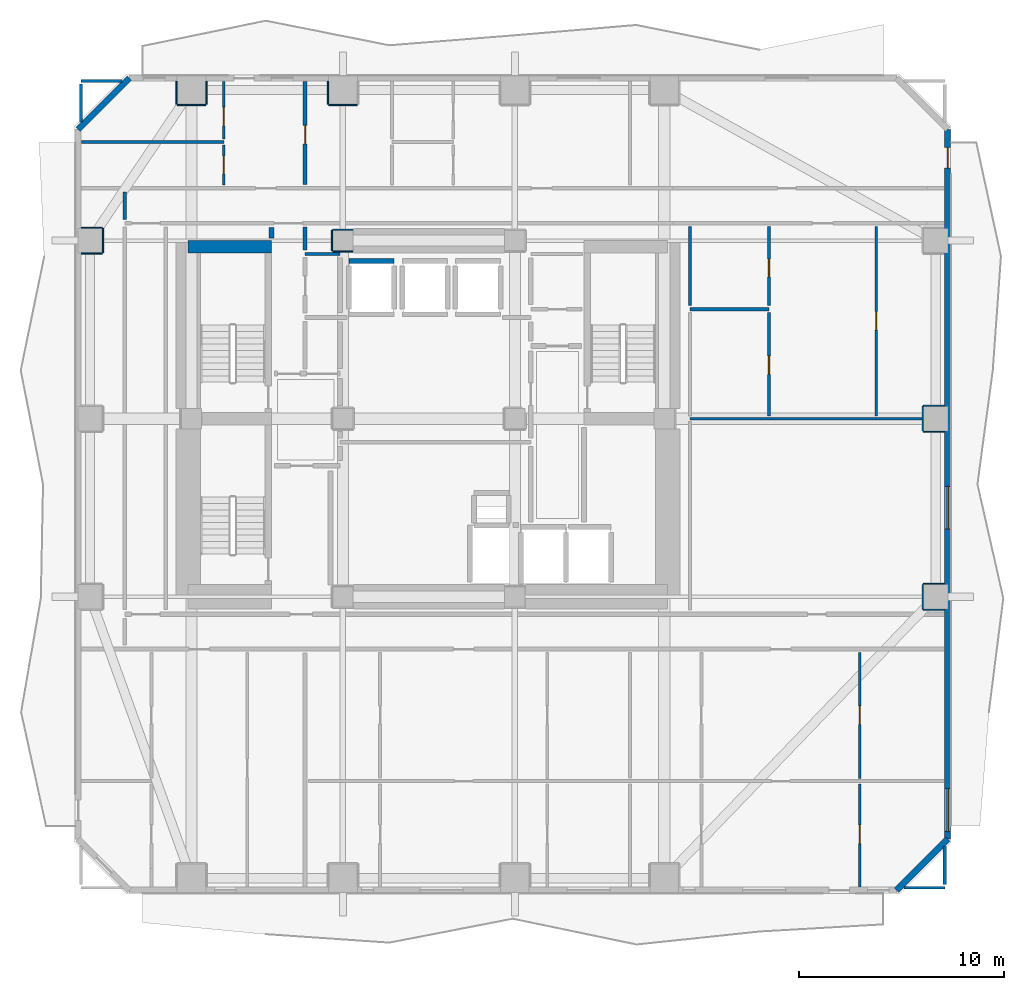
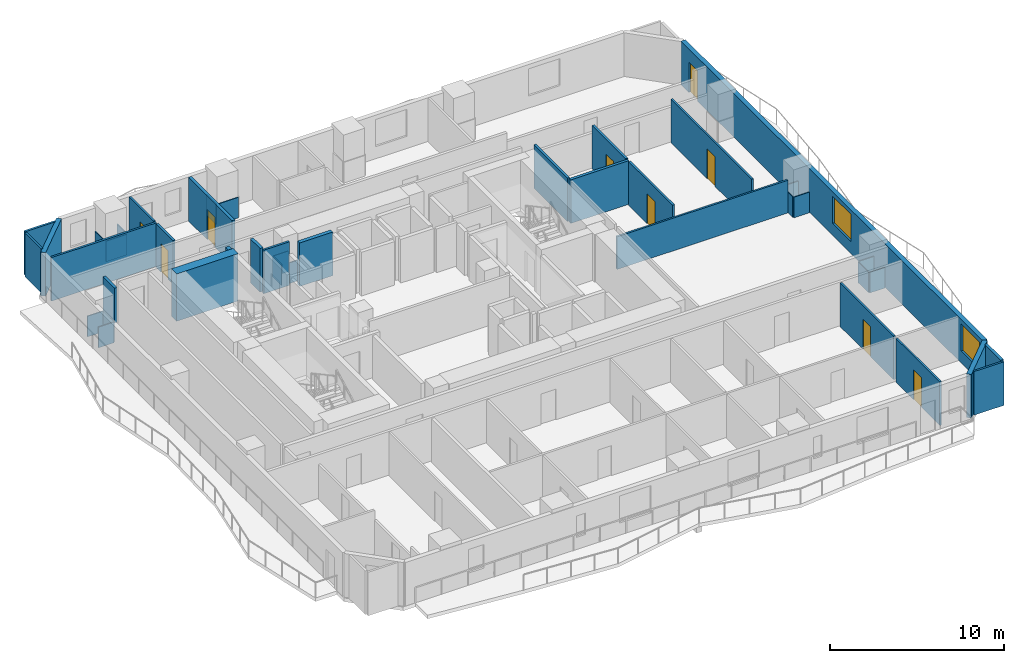
# One storey, part 5 of 10: 42 walls, 9 doors, 2 windows, 11 openings.
"""IFC4 building model written with IfcOpenShell, lengths in metres."""

import ifcopenshell
import ifcopenshell.guid

model = None  # the IFC model being written
_history = None  # IfcOwnerHistory: only IFC2X3 demands one
_inside = {}  # id of a spatial element -> (the spatial element, [elements in it])
_under = {}  # id of a project, library or spatial element -> (it, [spatial elements below it])
_declared = {}  # id of a project -> (the project, [libraries it declares])
_typed = {}  # id of a type object -> (the type object, [elements of that type])
_made_of = {}  # id of a material, layer set ... -> (it, [elements and type objects made of it])


def new_model(schema):
    """Start an empty IFC model of exactly this schema.

    Asked for "IFC4X3", IfcOpenShell would pick the latest addendum, in which some entities
    have other attributes; the version numbers below select the first issue.
    IFC2X3 requires an IfcOwnerHistory on every rooted entity: one is made here for all.
    """
    global model, _history
    if schema == "IFC4X3":
        model = ifcopenshell.file(schema_version=(4, 3, 0, 0))
    else:
        model = ifcopenshell.file(schema=schema)
    _inside.clear()
    _under.clear()
    _declared.clear()
    _typed.clear()
    _made_of.clear()
    _history = None
    if model.schema == "IFC2X3":
        org = make("IfcOrganization", Name="unknown")
        user = make(
            "IfcPersonAndOrganization",
            ThePerson=make("IfcPerson", FamilyName="unknown"),
            TheOrganization=org,
        )
        app = make(
            "IfcApplication",
            ApplicationDeveloper=org,
            Version="unknown",
            ApplicationFullName="unknown",
            ApplicationIdentifier="unknown",
        )
        _history = make(
            "IfcOwnerHistory",
            OwningUser=user,
            OwningApplication=app,
            ChangeAction="ADDED",
            CreationDate=0,
        )
    return model


def make(cls, **values):
    """One entity of the class cls with the attributes given. An attribute that is None is left unset."""
    return model.create_entity(
        cls, **{name: value for name, value in values.items() if value is not None}
    )


def rooted(cls, **values):
    """An entity with a GlobalId (a new one), such as an element, a storey or a relation."""
    return make(cls, GlobalId=ifcopenshell.guid.new(), OwnerHistory=_history, **values)


def si_unit(unit_type, name, prefix=None):
    """IfcSIUnit, for example si_unit("LENGTHUNIT", "METRE", prefix="MILLI")."""
    return make("IfcSIUnit", UnitType=unit_type, Prefix=prefix, Name=name)


def assignment(units):
    """IfcUnitAssignment: the units of a project."""
    return None if units is None else make("IfcUnitAssignment", Units=units)


def point(xyz):
    """IfcCartesianPoint."""
    return None if xyz is None else make("IfcCartesianPoint", Coordinates=xyz)


def direction(xyz):
    """IfcDirection."""
    return None if xyz is None else make("IfcDirection", DirectionRatios=xyz)


def frame(location, z_axis=None, x_axis=None):
    """IfcAxis2Placement3D, a coordinate frame: its origin and axes. An axis left out is left unset."""
    return make(
        "IfcAxis2Placement3D",
        Location=point(location),
        Axis=direction(z_axis),
        RefDirection=direction(x_axis),
    )


def frame_2d(location, x_axis=None):
    """IfcAxis2Placement2D, a coordinate frame in the plane: its origin and x axis."""
    return make(
        "IfcAxis2Placement2D", Location=point(location), RefDirection=direction(x_axis)
    )


def origin():
    """The frame at (0, 0, 0) with its axes left unset."""
    return frame((0.0, 0.0, 0.0))


def place(relative_to, where):
    """IfcLocalPlacement: puts the frame where relative to a parent placement (None: the world)."""
    return make(
        "IfcLocalPlacement", PlacementRelTo=relative_to, RelativePlacement=where
    )


def context(
    kind, dimensions, precision=None, world=None, true_north=None, identifier=None
):
    """IfcGeometricRepresentationContext, for example the 3D "Model" context."""
    return make(
        "IfcGeometricRepresentationContext",
        ContextIdentifier=identifier,
        ContextType=kind,
        CoordinateSpaceDimension=dimensions,
        Precision=precision,
        WorldCoordinateSystem=world,
        TrueNorth=true_north,
    )


def subcontext(parent, identifier, kind, view, scale=None):
    """IfcGeometricRepresentationSubContext, for example "Body" below "Model"."""
    return make(
        "IfcGeometricRepresentationSubContext",
        ContextIdentifier=identifier,
        ContextType=kind,
        ParentContext=parent,
        TargetScale=scale,
        TargetView=view,
    )


def project(units=None, contexts=None):
    """IfcProject with its units and contexts."""
    return rooted(
        "IfcProject",
        Name="project",
        RepresentationContexts=contexts,
        UnitsInContext=assignment(units),
    )


def spatial(cls, under=None, at=None, **own):
    """A site, building, storey or space (cls), placed at a placement, below another one or the project."""
    s = rooted(cls, ObjectPlacement=at, **own)
    if under is not None:
        _under.setdefault(under.id(), (under, []))[1].append(s)
    return s


def profile(cls, at=None, kind="AREA", **sizes):
    """A parametric profile (cls). Its sizes go by their IFC names, for example OverallWidth=200.0."""
    return make(cls, ProfileType=kind, Position=at, **sizes)


def rectangle(**sizes):
    """IfcRectangleProfileDef."""
    return profile("IfcRectangleProfileDef", **sizes)


def extrude(swept, where, along, depth):
    """IfcExtrudedAreaSolid: the profile swept, set in the frame where, extruded along a direction by depth."""
    return make(
        "IfcExtrudedAreaSolid",
        SweptArea=swept,
        Position=where,
        ExtrudedDirection=direction(along),
        Depth=depth,
    )


def shape(context_of_items, identifier, shape_type, items):
    """IfcShapeRepresentation: the items that make up one representation, for example the "Body"."""
    return make(
        "IfcShapeRepresentation",
        ContextOfItems=context_of_items,
        RepresentationIdentifier=identifier,
        RepresentationType=shape_type,
        Items=items,
    )


def material(Name=None, Category=None):
    """IfcMaterial."""
    return make("IfcMaterial", Name=Name, Category=Category)


def layer(
    of_material, thickness, ventilated=None, Name=None, Category=None, Priority=None
):
    """IfcMaterialLayer: one layer of a wall or slab, of a material (None: an air gap)."""
    return make(
        "IfcMaterialLayer",
        Material=of_material,
        LayerThickness=thickness,
        IsVentilated=ventilated,
        Name=Name,
        Category=Category,
        Priority=Priority,
    )


def layer_set(layers, Name=None):
    """IfcMaterialLayerSet."""
    return make("IfcMaterialLayerSet", MaterialLayers=layers, LayerSetName=Name)


def made_of(thing, what):
    """Note that an element or type object is made of a material, layer set ...; save() writes the relation."""
    if what is not None:
        _made_of.setdefault(what.id(), (what, []))[1].append(thing)
    return thing


def type_object(cls, material=None, **own):
    """A type object (cls), such as IfcWallType, which elements share."""
    return made_of(rooted(cls, **own), material)


def element(
    cls,
    number,
    at=None,
    inside=None,
    cuts=None,
    type_object=None,
    material=None,
    context=None,
    identifier="Body",
    shape_type=None,
    held_by="IfcProductDefinitionShape",
    body=None,
    shapes=None,
    **own,
):
    """One element of the class cls, such as IfcWall. Its Tag is "e" and its number.

    at: its placement. inside: the storey or other place that contains it. cuts: it is an
    opening in that element (IfcRelVoidsElement). A single representation is given by context,
    identifier, shape_type and body (its items); several are given by shapes. held_by: the class
    of the entity that holds the representations. save() writes the other relations.
    """
    e = rooted(cls, Tag="e%d" % number, ObjectPlacement=at, **own)
    if body is not None:
        shapes = [shape(context, identifier, shape_type, body)]
    if shapes is not None:
        e.Representation = make(held_by, Representations=shapes)
    if inside is not None:
        _inside.setdefault(inside.id(), (inside, []))[1].append(e)
    if cuts is not None:
        rooted(
            "IfcRelVoidsElement", RelatingBuildingElement=cuts, RelatedOpeningElement=e
        )
    if type_object is not None:
        _typed.setdefault(type_object.id(), (type_object, []))[1].append(e)
    return made_of(e, material)


def fill(opening, filler):
    """IfcRelFillsElement: the door or window that sits in an opening."""
    return rooted(
        "IfcRelFillsElement",
        RelatingOpeningElement=opening,
        RelatedBuildingElement=filler,
    )


def aggregate(whole, parts):
    """IfcRelAggregates: a whole, such as a stair, and the parts it consists of."""
    return rooted("IfcRelAggregates", RelatingObject=whole, RelatedObjects=parts)


def save(model, path):
    """Write the relations noted so far, then the file.

    IfcRelAggregates (storeys below a building ...), IfcRelContainedInSpatialStructure (elements
    in a storey), IfcRelDefinesByType, IfcRelAssociatesMaterial and IfcRelDeclares: one each for
    every whole, place, type object, material and project.
    """
    for whole, parts in _under.values():
        aggregate(whole, parts)
    for where, things in _inside.values():
        rooted(
            "IfcRelContainedInSpatialStructure",
            RelatedElements=things,
            RelatingStructure=where,
        )
    for kind, things in _typed.values():
        rooted("IfcRelDefinesByType", RelatedObjects=things, RelatingType=kind)
    for what, things in _made_of.values():
        rooted("IfcRelAssociatesMaterial", RelatedObjects=things, RelatingMaterial=what)
    for by, libraries in _declared.values():
        rooted("IfcRelDeclares", RelatingContext=by, RelatedDefinitions=libraries)
    model.write(path)


model = new_model("IFC4")

# Units and contexts
model_context = context("Model", 3, precision=1e-05, world=origin(), true_north=direction((0.0, 1.0)))
body_context = subcontext(model_context, "Body", "Model", "MODEL_VIEW")
ifc_project = project(units=[si_unit("LENGTHUNIT", "METRE"), si_unit("AREAUNIT", "SQUARE_METRE"), si_unit("VOLUMEUNIT", "CUBIC_METRE"), si_unit("PLANEANGLEUNIT", "RADIAN"), si_unit("MASSUNIT", "GRAM", prefix="KILO")], contexts=[model_context])

# Site, building, storey
site_placement = place(None, origin())
site = spatial("IfcSite", under=ifc_project, at=site_placement, CompositionType="ELEMENT")
building_placement = place(site_placement, origin())
building = spatial("IfcBuilding", under=site, at=building_placement, Name="Solanera Arch Residences", CompositionType="ELEMENT")
storey_placement = place(building_placement, frame((0.0, 0.0, 51.8798828125)))
storey = spatial("IfcBuildingStorey", under=building, at=storey_placement, Name="L14", CompositionType="ELEMENT", Elevation=51.8798828125)

# Walls
ifc_material_1 = material(Name="Fire-Rated Gypsum Stud Partition", Category="gypsum")
ifc_layer_1 = layer(ifc_material_1, 0.06005859375)
ifc_layer_set_1 = layer_set([ifc_layer_1], Name="Fire-Rated Gypsum Stud Partition")
wall_type_1 = type_object("IfcWallType", Name="Column Acoustic Furring Wall 60", PredefinedType="PARTITIONING", material=ifc_layer_set_1)
for number, where, z_axis, x_axis, name in (
    (1, (20.300048828125, 38.867919921875, 0.0), (0.0, 0.0, 1.0), (1.0, 0.0, 0.0), "L14 Column Furring 3S"),
    (2, (20.300048828125, 39.931884765625, 0.0), (0.0, 0.0, 1.0), (1.0, 0.0, 0.0), "L14 Column Furring 3N"),
):
    element("IfcWall", number, at=place(storey_placement, frame(where, z_axis=z_axis, x_axis=x_axis)), inside=storey, type_object=wall_type_1, Name=name, PredefinedType="PARTITIONING", context=body_context, shape_type="SweptSolid", body=[
        extrude(rectangle(XDim=0.989990234375, YDim=0.06005859375, at=frame_2d((0.4951171875, 0.0))), origin(), (0.0, 0.0, 1.0), 1.4501953125),
    ])
wall_1_placement = place(storey_placement, frame((20.26806640625, 38.89990234375, 0.0), z_axis=(0.0, 0.0, 1.0), x_axis=(0.0, 1.0, 0.0)))
element("IfcWall", 3, at=wall_1_placement, inside=storey, type_object=wall_type_1, Name="L14 Column Furring 3W", PredefinedType="PARTITIONING", context=body_context, shape_type="SweptSolid", body=[
    extrude(rectangle(XDim=1.0, YDim=0.06005859375, at=frame_2d((0.5, 0.0))), origin(), (0.0, 0.0, 1.0), 1.4501953125),
])
wall_2_placement = place(storey_placement, frame((12.699951171875, 46.01806640625, 0.0), z_axis=(0.0, 0.0, 1.0), x_axis=(1.0, 0.0, 0.0)))
element("IfcWall", 4, at=wall_2_placement, inside=storey, type_object=wall_type_1, Name="L14 Column Furring 10S", PredefinedType="PARTITIONING", context=body_context, shape_type="SweptSolid", body=[
    extrude(rectangle(XDim=1.400146484375, YDim=0.06005859375, at=frame_2d((0.7001953125, 0.0))), origin(), (0.0, 0.0, 1.0), 1.4501953125),
])
for number, where, z_axis, x_axis, name in (
    (5, (12.66796875, 46.050048828125, 0.0), (0.0, 0.0, 1.0), (0.0, 1.0, 0.0), "L14 Column Furring 10W"),
    (6, (14.132080078125, 46.050048828125, 0.0), (0.0, 0.0, 1.0), (0.0, 1.0, 0.0), "L14 Column Furring 10E"),
):
    element("IfcWall", number, at=place(storey_placement, frame(where, z_axis=z_axis, x_axis=x_axis)), inside=storey, type_object=wall_type_1, Name=name, PredefinedType="PARTITIONING", context=body_context, shape_type="SweptSolid", body=[
        extrude(rectangle(XDim=1.119873046875, YDim=0.06005859375, at=frame_2d((0.56005859375, 0.0))), origin(), (0.0, 0.0, 1.0), 1.4501953125),
    ])
wall_3_placement = place(storey_placement, frame((20.10009765625, 46.01806640625, 0.0), z_axis=(0.0, 0.0, 1.0), x_axis=(1.0, 0.0, 0.0)))
element("IfcWall", 7, at=wall_3_placement, inside=storey, type_object=wall_type_1, Name="L14 Column Furring 12S", PredefinedType="PARTITIONING", context=body_context, shape_type="SweptSolid", body=[
    extrude(rectangle(XDim=1.39990234375, YDim=0.06005859375, at=frame_2d((0.699951171875, 0.0))), origin(), (0.0, 0.0, 1.0), 1.4501953125),
])
wall_4_placement = place(storey_placement, frame((20.068115234375, 46.050048828125, 0.0), z_axis=(0.0, 0.0, 1.0), x_axis=(0.0, 1.0, 0.0)))
element("IfcWall", 8, at=wall_4_placement, inside=storey, type_object=wall_type_1, Name="L14 Column Furring 12W", PredefinedType="PARTITIONING", context=body_context, shape_type="SweptSolid", body=[
    extrude(rectangle(XDim=1.119873046875, YDim=0.06005859375, at=frame_2d((0.56005859375, 0.0))), origin(), (0.0, 0.0, 1.0), 1.4501953125),
])
for number, where, z_axis, x_axis, name in (
    (9, (49.14990234375, 21.367919921875, 0.0), (0.0, 0.0, 1.0), (1.0, 0.0, 0.0), "L14 Column Furring 18S"),
    (10, (49.14990234375, 22.632080078125, 0.0), (0.0, 0.0, 1.0), (1.0, 0.0, 0.0), "L14 Column Furring 18N"),
):
    element("IfcWall", number, at=place(storey_placement, frame(where, z_axis=z_axis, x_axis=x_axis)), inside=storey, type_object=wall_type_1, Name=name, PredefinedType="PARTITIONING", context=body_context, shape_type="SweptSolid", body=[
        extrude(rectangle(XDim=1.02001953125, YDim=0.06005859375, at=frame_2d((0.510009765625, 0.0))), origin(), (0.0, 0.0, 1.0), 1.4501953125),
    ])
wall_5_placement = place(storey_placement, frame((49.117919921875, 21.39990234375, 0.0), z_axis=(0.0, 0.0, 1.0), x_axis=(0.0, 1.0, 0.0)))
element("IfcWall", 11, at=wall_5_placement, inside=storey, type_object=wall_type_1, Name="L14 Column Furring 18W", PredefinedType="PARTITIONING", context=body_context, shape_type="SweptSolid", body=[
    extrude(rectangle(XDim=1.2001953125, YDim=0.06005859375, at=frame_2d((0.60009765625, 0.0))), origin(), (0.0, 0.0, 1.0), 1.4501953125),
])
for number, where, z_axis, x_axis, name in (
    (12, (49.14990234375, 30.068115234375, 0.0), (0.0, 0.0, 1.0), (1.0, 0.0, 0.0), "L14 Column Furring 20S"),
    (13, (49.14990234375, 31.33203125, 0.0), (0.0, 0.0, 1.0), (1.0, 0.0, 0.0), "L14 Column Furring 20N"),
):
    element("IfcWall", number, at=place(storey_placement, frame(where, z_axis=z_axis, x_axis=x_axis)), inside=storey, type_object=wall_type_1, Name=name, PredefinedType="PARTITIONING", context=body_context, shape_type="SweptSolid", body=[
        extrude(rectangle(XDim=1.02001953125, YDim=0.06005859375, at=frame_2d((0.510009765625, 0.0))), origin(), (0.0, 0.0, 1.0), 1.4501953125),
    ])
wall_6_placement = place(storey_placement, frame((49.117919921875, 30.10009765625, 0.0), z_axis=(0.0, 0.0, 1.0), x_axis=(0.0, 1.0, 0.0)))
element("IfcWall", 14, at=wall_6_placement, inside=storey, type_object=wall_type_1, Name="L14 Column Furring 20W", PredefinedType="PARTITIONING", context=body_context, shape_type="SweptSolid", body=[
    extrude(rectangle(XDim=1.199951171875, YDim=0.06005859375, at=frame_2d((0.60009765625, 0.0))), origin(), (0.0, 0.0, 1.0), 1.4501953125),
])
for number, where, z_axis, x_axis, name in (
    (15, (8.030029296875, 38.76806640625, 0.0), (0.0, 0.0, 1.0), (1.0, 0.0, 0.0), "L14 Column Furring 21S"),
    (16, (8.030029296875, 40.031982421875, 0.0), (0.0, 0.0, 1.0), (1.0, 0.0, 0.0), "L14 Column Furring 21N"),
):
    element("IfcWall", number, at=place(storey_placement, frame(where, z_axis=z_axis, x_axis=x_axis)), inside=storey, type_object=wall_type_1, Name=name, PredefinedType="PARTITIONING", context=body_context, shape_type="SweptSolid", body=[
        extrude(rectangle(XDim=1.02001953125, YDim=0.06005859375, at=frame_2d((0.510009765625, 0.0))), origin(), (0.0, 0.0, 1.0), 1.4501953125),
    ])
wall_7_placement = place(storey_placement, frame((9.08203125, 38.800048828125, 0.0), z_axis=(0.0, 0.0, 1.0), x_axis=(0.0, 1.0, 0.0)))
element("IfcWall", 17, at=wall_7_placement, inside=storey, type_object=wall_type_1, Name="L14 Column Furring 21E", PredefinedType="PARTITIONING", context=body_context, shape_type="SweptSolid", body=[
    extrude(rectangle(XDim=1.199951171875, YDim=0.06005859375, at=frame_2d((0.60009765625, 0.0))), origin(), (0.0, 0.0, 1.0), 1.4501953125),
])
ifc_material_2 = material(Name="Concrete C40/50 (f'c = 45 MPa)", Category="concrete")
ifc_layer_2 = layer(ifc_material_2, 0.60009765625)
ifc_layer_set_2 = layer_set([ifc_layer_2], Name="Concrete C40/50 (f'c = 45 MPa)")
wall_type_2 = type_object("IfcWallType", Name="Core Shear Wall CW-600", PredefinedType="SHEAR", material=ifc_layer_set_2)
wall_8_placement = place(storey_placement, frame((13.239990234375, 39.10009765625, 0.0), z_axis=(0.0, 0.0, 1.0), x_axis=(1.0, 0.0, 0.0)))
element("IfcWall", 18, at=wall_8_placement, inside=storey, type_object=wall_type_2, Name="L14 North-West Core Shear Wall", PredefinedType="SHEAR", context=body_context, shape_type="SweptSolid", body=[
    extrude(rectangle(XDim=4.080078125, YDim=0.60009765625, at=frame_2d((2.0400390625, 0.0))), origin(), (0.0, 0.0, 1.0), 3.320068359375),
])
ifc_material_3 = material(Name="Autoclaved Aerated Concrete Blockwork", Category="masonry")
ifc_layer_3 = layer(ifc_material_3, 0.179931640625)
ifc_layer_set_3 = layer_set([ifc_layer_3], Name="Autoclaved Aerated Concrete Blockwork")
wall_type_3 = type_object("IfcWallType", Name="Corridor Fire Partition 180", PredefinedType="PARTITIONING", material=ifc_layer_set_3)
wall_9_placement = place(storey_placement, frame((37.75, 36.050048828125, 0.0), z_axis=(0.0, 0.0, 1.0), x_axis=(1.0, 0.0, 0.0)))
element("IfcWall", 19, at=wall_9_placement, inside=storey, type_object=wall_type_3, Name="L14 Interior Partition H10", PredefinedType="PARTITIONING", context=body_context, shape_type="SweptSolid", body=[
    extrude(rectangle(XDim=3.860107421875, YDim=0.179931640625, at=frame_2d((1.93017578125, 0.0))), origin(), (0.0, 0.0, 1.0), 3.06005859375),
])
wall_10_placement = place(storey_placement, frame((10.14990234375, 40.43798828125, 0.0), z_axis=(0.0, 0.0, 1.0), x_axis=(0.0, 1.0, 0.0)))
element("IfcWall", 20, at=wall_10_placement, inside=storey, type_object=wall_type_3, Name="L14 Interior Partition V9 3", PredefinedType="PARTITIONING", context=body_context, shape_type="SweptSolid", body=[
    extrude(rectangle(XDim=1.323974609375, YDim=0.179931640625, at=frame_2d((0.662109375, 0.0))), origin(), (0.0, 0.0, 1.0), 2.445068359375),
])
wall_11_placement = place(storey_placement, frame((50.199951171875, 7.9580078125, 0.0), z_axis=(0.0, 0.0, 1.0), x_axis=(0.0, 1.0, 0.0)))
element("IfcWall", 21, at=wall_11_placement, inside=storey, type_object=wall_type_3, Name="L14 Interior Partition V11 1", PredefinedType="PARTITIONING", context=body_context, shape_type="SweptSolid", body=[
    extrude(rectangle(XDim=1.843017578125, YDim=0.179931640625, at=frame_2d((0.92138671875, 0.0))), origin(), (0.0, 0.0, 1.0), 3.06005859375),
])
ifc_material_4 = material(Name="Precast Concrete C35/45", Category="concrete")
ifc_layer_4 = layer(ifc_material_4, 0.300048828125)
ifc_layer_set_4 = layer_set([ifc_layer_4], Name="Precast Concrete C35/45")
wall_type_4 = type_object("IfcWallType", Name="Exterior Wall Precast Masonry-Frame 300", PredefinedType="STANDARD", material=ifc_layer_set_4)
wall_12_placement = place(storey_placement, frame((7.864990234375, 44.8349609375, 0.0), z_axis=(0.0, 0.0, 1.0), x_axis=(0.707106781187, 0.707106781187, 0.0)))
element("IfcWall", 22, at=wall_12_placement, inside=storey, type_object=wall_type_4, Name="L14 Tower Exterior Precast Masonry-Frame Wall CH1", PredefinedType="STANDARD", context=body_context, shape_type="SweptSolid", body=[
    extrude(rectangle(XDim=3.53564453125, YDim=0.300048828125, at=frame_2d((1.767822265625, 0.0))), origin(), (0.0, 0.0, 1.0), 3.06005859375),
])

# Wall, openings, door, windows
wall_13_placement = place(storey_placement, frame((50.3349609375, 44.8349609375, 0.0), z_axis=(0.0, 0.0, 1.0), x_axis=(0.0, -1.0, 0.0)))
wall_13 = element("IfcWall", 23, at=wall_13_placement, inside=storey, type_object=wall_type_4, Name="L14 Tower Exterior Precast Masonry-Frame Wall E", PredefinedType="STANDARD", context=body_context, shape_type="SweptSolid", body=[
    extrude(rectangle(XDim=34.669921875, YDim=0.300048828125, at=frame_2d((17.3349609375, 0.0))), origin(), (0.0, 0.0, 1.0), 3.06005859375),
])
opening_1_placement = place(wall_13_placement, frame((0.90087890625, 0.0, 0.0)))
opening_1 = element("IfcOpeningElement", 24, at=opening_1_placement, cuts=wall_13, Name="Opening DB-01", PredefinedType="OPENING", context=body_context, shape_type="SweptSolid", body=[
    extrude(rectangle(XDim=1.0, YDim=2.14990234375, at=frame_2d((0.5, 1.074951171875))), frame((0.0, 0.159912109375, 0.0), z_axis=(0.0, -1.0, 0.0), x_axis=(1.0, 0.0, 0.0)), (0.0, 0.0, 1.0), 0.32),
])
opening_2_placement = place(wall_13_placement, frame((32.2080078125, 0.0, 0.85009765625)))
opening_2 = element("IfcOpeningElement", 25, at=opening_2_placement, cuts=wall_13, Name="Opening W-04", PredefinedType="OPENING", context=body_context, shape_type="SweptSolid", body=[
    extrude(rectangle(XDim=2.10009765625, YDim=1.89990234375, at=frame_2d((1.050048828125, 0.949951171875))), frame((0.0, 0.159912109375, 0.0), z_axis=(0.0, -1.0, 0.0), x_axis=(1.0, 0.0, 0.0)), (0.0, 0.0, 1.0), 0.32),
])
opening_3_placement = place(wall_13_placement, frame((17.43505859375, 0.0, 0.85009765625)))
opening_3 = element("IfcOpeningElement", 26, at=opening_3_placement, cuts=wall_13, Name="Opening W-04", PredefinedType="OPENING", context=body_context, shape_type="SweptSolid", body=[
    extrude(rectangle(XDim=2.10009765625, YDim=1.89990234375, at=frame_2d((1.050048828125, 0.949951171875))), frame((0.0, 0.159912109375, 0.0), z_axis=(0.0, -1.0, 0.0), x_axis=(1.0, 0.0, 0.0)), (0.0, 0.0, 1.0), 0.32),
])
ifc_material_5 = material(Name="Anodised Aluminium Alloy 6063-T6", Category="aluminium")
door_type_1 = type_object("IfcDoorType", Name="Glazed Balcony Swing Door DB-01", OperationType="NOTDEFINED", PredefinedType="DOOR", material=ifc_material_5)
door_1_placement = place(opening_1_placement, origin())
door_1 = element("IfcDoor", 27, at=door_1_placement, inside=storey, type_object=door_type_1, Name="DR-L14-OUT-03", OperationType="SINGLE_SWING_RIGHT", OverallHeight=2.14990234375, OverallWidth=1.0, PredefinedType="DOOR", context=body_context, shape_type="SweptSolid", body=[
    extrude(rectangle(XDim=1.0, YDim=2.14990234375, at=frame_2d((0.5, 1.074951171875))), frame((0.0, 0.02490234375, 0.0), z_axis=(0.0, -1.0, 0.0), x_axis=(1.0, 0.0, 0.0)), (0.0, 0.0, 1.0), 0.050048828125),
])
fill(opening_1, door_1)
ifc_material_6 = material(Name="Double Glazed Low-E Laminated Glass", Category="glass")
window_type = type_object("IfcWindowType", Name="Punched Window W-04", PartitioningType="DOUBLE_PANEL_VERTICAL", PredefinedType="WINDOW", material=ifc_material_6)
window_1_placement = place(opening_2_placement, origin())
window_1 = element("IfcWindow", 28, at=window_1_placement, inside=storey, type_object=window_type, Name="L14 1403-STD Punched Window", OverallHeight=1.89990234375, OverallWidth=2.10009765625, PartitioningType="SINGLE_PANEL", PredefinedType="WINDOW", context=body_context, shape_type="SweptSolid", body=[
    extrude(rectangle(XDim=2.10009765625, YDim=1.89990234375, at=frame_2d((1.050048828125, 0.949951171875))), frame((0.0, 0.030029296875, 0.0), z_axis=(0.0, -1.0, 0.0), x_axis=(1.0, 0.0, 0.0)), (0.0, 0.0, 1.0), 0.06005859375),
])
fill(opening_2, window_1)
window_2_placement = place(opening_3_placement, origin())
window_2 = element("IfcWindow", 29, at=window_2_placement, inside=storey, type_object=window_type, Name="L14 AMN-STDE Punched Window", OverallHeight=1.89990234375, OverallWidth=2.10009765625, PartitioningType="SINGLE_PANEL", PredefinedType="WINDOW", context=body_context, shape_type="SweptSolid", body=[
    extrude(rectangle(XDim=2.10009765625, YDim=1.89990234375, at=frame_2d((1.050048828125, 0.949951171875))), frame((0.0, 0.030029296875, 0.0), z_axis=(0.0, -1.0, 0.0), x_axis=(1.0, 0.0, 0.0)), (0.0, 0.0, 1.0), 0.06005859375),
])
fill(opening_3, window_2)

# Walls
wall_14_placement = place(storey_placement, frame((50.3349609375, 10.1650390625, 0.0), z_axis=(0.0, 0.0, 1.0), x_axis=(-0.707106781187, -0.707106781187, 0.0)))
element("IfcWall", 30, at=wall_14_placement, inside=storey, type_object=wall_type_4, Name="L14 Tower Exterior Precast Masonry-Frame Wall CH5", PredefinedType="STANDARD", context=body_context, shape_type="SweptSolid", body=[
    extrude(rectangle(XDim=3.53564453125, YDim=0.300048828125, at=frame_2d((1.767822265625, 0.0))), origin(), (0.0, 0.0, 1.0), 3.06005859375),
])
ifc_material_7 = material(Name="Autoclaved Aerated Concrete Blockwork", Category="masonry")
ifc_layer_5 = layer(ifc_material_7, 0.199951171875)
ifc_layer_set_5 = layer_set([ifc_layer_5], Name="Autoclaved Aerated Concrete Blockwork")
wall_type_5 = type_object("IfcWallType", Name="Party Wall Acoustic 200", PredefinedType="PARTITIONING", material=ifc_layer_set_5)
wall_15_placement = place(storey_placement, frame((18.949951171875, 38.927978515625, 0.0), z_axis=(0.0, 0.0, 1.0), x_axis=(0.0, 1.0, 0.0)))
element("IfcWall", 31, at=wall_15_placement, inside=storey, type_object=wall_type_5, Name="L14 Interior Partition V7 3", PredefinedType="PARTITIONING", context=body_context, shape_type="SweptSolid", body=[
    extrude(rectangle(XDim=1.1240234375, YDim=0.199951171875, at=frame_2d((0.56201171875, 0.0))), origin(), (0.0, 0.0, 1.0), 3.06005859375),
])

# Wall, opening, door
wall_16_placement = place(storey_placement, frame((18.949951171875, 42.14794921875, 0.0), z_axis=(0.0, 0.0, 1.0), x_axis=(0.0, 1.0, 0.0)))
wall_16 = element("IfcWall", 32, at=wall_16_placement, inside=storey, type_object=wall_type_5, Name="L14 Interior Partition V8", PredefinedType="PARTITIONING", context=body_context, shape_type="SweptSolid", body=[
    extrude(rectangle(XDim=5.025146484375, YDim=0.199951171875, at=frame_2d((2.5126953125, 0.0))), origin(), (0.0, 0.0, 1.0), 3.06005859375),
])
opening_4_placement = place(wall_16_placement, frame((1.97705078125, 0.0, 0.0)))
opening_4 = element("IfcOpeningElement", 33, at=opening_4_placement, cuts=wall_16, Name="Opening DI-02", PredefinedType="OPENING", context=body_context, shape_type="SweptSolid", body=[
    extrude(rectangle(XDim=0.89990234375, YDim=2.10009765625, at=frame_2d((0.449951171875, 1.050048828125))), frame((0.0, 0.110107421875, 0.0), z_axis=(0.0, -1.0, 0.0), x_axis=(1.0, 0.0, 0.0)), (0.0, 0.0, 1.0), 0.22),
])
ifc_material_8 = material(Name="Fire-Rated Architectural Hardwood", Category="wood")
door_type_2 = type_object("IfcDoorType", Name="Suite Room Swing Door DI-02", OperationType="NOTDEFINED", PredefinedType="DOOR", material=ifc_material_8)
door_2_placement = place(opening_4_placement, origin())
door_2 = element("IfcDoor", 34, at=door_2_placement, inside=storey, type_object=door_type_2, Name="DR-L14-IN-034", OperationType="SINGLE_SWING_LEFT", OverallHeight=2.10009765625, OverallWidth=0.89990234375, PredefinedType="DOOR", context=body_context, shape_type="SweptSolid", body=[
    extrude(rectangle(XDim=0.89990234375, YDim=2.10009765625, at=frame_2d((0.449951171875, 1.050048828125))), frame((0.0, 0.02490234375, 0.0), z_axis=(0.0, -1.0, 0.0), x_axis=(1.0, 0.0, 0.0)), (0.0, 0.0, 1.0), 0.050048828125),
])
fill(opening_4, door_2)

# Walls
ifc_material_9 = material(Name="Autoclaved Aerated Concrete Blockwork", Category="masonry")
ifc_layer_6 = layer(ifc_material_9, 0.239990234375)
ifc_layer_set_6 = layer_set([ifc_layer_6], Name="Autoclaved Aerated Concrete Blockwork")
wall_type_6 = type_object("IfcWallType", Name="Shaft Wall Fire-Rated 240", PredefinedType="PARTITIONING", material=ifc_layer_set_6)
wall_17_placement = place(storey_placement, frame((21.10009765625, 38.39990234375, 0.0), z_axis=(0.0, 0.0, 1.0), x_axis=(1.0, 0.0, 0.0)))
element("IfcWall", 35, at=wall_17_placement, inside=storey, type_object=wall_type_6, Name="L14 Lift PL-L1 Hoistway Wall N", PredefinedType="PARTITIONING", context=body_context, shape_type="SweptSolid", body=[
    extrude(rectangle(XDim=2.199951171875, YDim=0.239990234375, at=frame_2d((1.10009765625, 0.0))), origin(), (0.0, 0.0, 1.0), 3.06005859375),
])
wall_18_placement = place(storey_placement, frame((17.320068359375, 39.530029296875, 0.0), z_axis=(0.0, 0.0, 1.0), x_axis=(0.0, 1.0, 0.0)))
element("IfcWall", 36, at=wall_18_placement, inside=storey, type_object=wall_type_6, Name="L14 Interior Partition V1", PredefinedType="PARTITIONING", context=body_context, shape_type="SweptSolid", body=[
    extrude(rectangle(XDim=0.501953125, YDim=0.239990234375, at=frame_2d((0.2509765625, 0.0))), origin(), (0.0, 0.0, 1.0), 3.06005859375),
])
ifc_material_10 = material(Name="Fire-Rated Gypsum Stud Partition", Category="gypsum")
ifc_layer_7 = layer(ifc_material_10, 0.1201171875)
ifc_layer_set_7 = layer_set([ifc_layer_7], Name="Fire-Rated Gypsum Stud Partition")
wall_type_7 = type_object("IfcWallType", Name="Unit Drywall Partition 120", PredefinedType="PARTITIONING", material=ifc_layer_set_7)
wall_19_placement = place(storey_placement, frame((48.198974609375, 7.800048828125, 0.0), z_axis=(0.0, 0.0, 1.0), x_axis=(1.0, 0.0, 0.0)))
element("IfcWall", 37, at=wall_19_placement, inside=storey, type_object=wall_type_7, Name="L14 Interior Partition H20 2", PredefinedType="PARTITIONING", context=body_context, shape_type="SweptSolid", body=[
    extrude(rectangle(XDim=2.0009765625, YDim=0.1201171875, at=frame_2d((1.00048828125, 0.0))), origin(), (0.0, 0.0, 1.0), 3.06005859375),
])
wall_20_placement = place(storey_placement, frame((37.75, 30.699951171875, 0.0), z_axis=(0.0, 0.0, 1.0), x_axis=(1.0, 0.0, 0.0)))
element("IfcWall", 38, at=wall_20_placement, inside=storey, type_object=wall_type_7, Name="L14 Interior Partition H21", PredefinedType="PARTITIONING", context=body_context, shape_type="SweptSolid", body=[
    extrude(rectangle(XDim=11.327880859375, YDim=0.1201171875, at=frame_2d((5.6640625, 0.0))), origin(), (0.0, 0.0, 1.0), 2.295166015625),
])

# Wall, opening, door
wall_21_placement = place(storey_placement, frame((46.047119140625, 7.826904296875, 0.0), z_axis=(0.0, 0.0, 1.0), x_axis=(0.0, 1.0, 0.0)))
wall_21 = element("IfcWall", 39, at=wall_21_placement, inside=storey, type_object=wall_type_7, Name="L14 Interior Partition V26 1", PredefinedType="PARTITIONING", context=body_context, shape_type="SweptSolid", body=[
    extrude(rectangle(XDim=5.03515625, YDim=0.1201171875, at=frame_2d((2.517578125, 0.0))), origin(), (0.0, 0.0, 1.0), 3.06005859375),
])
opening_5_placement = place(wall_21_placement, frame((2.123046875, 0.0, 0.0)))
opening_5 = element("IfcOpeningElement", 40, at=opening_5_placement, cuts=wall_21, Name="Opening DI-02", PredefinedType="OPENING", context=body_context, shape_type="SweptSolid", body=[
    extrude(rectangle(XDim=0.89990234375, YDim=2.10009765625, at=frame_2d((0.449951171875, 1.050048828125))), frame((0.0, 0.070068359375, 0.0), z_axis=(0.0, -1.0, 0.0), x_axis=(1.0, 0.0, 0.0)), (0.0, 0.0, 1.0), 0.1401),
])
door_3_placement = place(opening_5_placement, origin())
door_3 = element("IfcDoor", 41, at=door_3_placement, inside=storey, type_object=door_type_2, Name="DR-L14-IN-030", OperationType="SINGLE_SWING_LEFT", OverallHeight=2.10009765625, OverallWidth=0.89990234375, PredefinedType="DOOR", context=body_context, shape_type="SweptSolid", body=[
    extrude(rectangle(XDim=0.89990234375, YDim=2.10009765625, at=frame_2d((0.449951171875, 1.050048828125))), frame((0.0, 0.02490234375, 0.0), z_axis=(0.0, -1.0, 0.0), x_axis=(1.0, 0.0, 0.0)), (0.0, 0.0, 1.0), 0.050048828125),
])
fill(opening_5, door_3)

wall_22_placement = place(storey_placement, frame((46.047119140625, 13.137939453125, 0.0), z_axis=(0.0, 0.0, 1.0), x_axis=(0.0, 1.0, 0.0)))
wall_22 = element("IfcWall", 42, at=wall_22_placement, inside=storey, type_object=wall_type_7, Name="L14 Interior Partition V26 2", PredefinedType="PARTITIONING", context=body_context, shape_type="SweptSolid", body=[
    extrude(rectangle(XDim=6.154052734375, YDim=0.1201171875, at=frame_2d((3.0771484375, 0.0))), origin(), (0.0, 0.0, 1.0), 3.06005859375),
])
opening_6_placement = place(wall_22_placement, frame((2.636962890625, 0.0, 0.0)))
opening_6 = element("IfcOpeningElement", 43, at=opening_6_placement, cuts=wall_22, Name="Opening DI-02", PredefinedType="OPENING", context=body_context, shape_type="SweptSolid", body=[
    extrude(rectangle(XDim=0.89990234375, YDim=2.10009765625, at=frame_2d((0.449951171875, 1.050048828125))), frame((0.0, 0.070068359375, 0.0), z_axis=(0.0, -1.0, 0.0), x_axis=(1.0, 0.0, 0.0)), (0.0, 0.0, 1.0), 0.1401),
])
door_4_placement = place(opening_6_placement, origin())
door_4 = element("IfcDoor", 44, at=door_4_placement, inside=storey, type_object=door_type_2, Name="DR-L14-IN-029", OperationType="SINGLE_SWING_RIGHT", OverallHeight=2.10009765625, OverallWidth=0.89990234375, PredefinedType="DOOR", context=body_context, shape_type="SweptSolid", body=[
    extrude(rectangle(XDim=0.89990234375, YDim=2.10009765625, at=frame_2d((0.449951171875, 1.050048828125))), frame((0.0, 0.02490234375, 0.0), z_axis=(0.0, -1.0, 0.0), x_axis=(1.0, 0.0, 0.0)), (0.0, 0.0, 1.0), 0.050048828125),
])
fill(opening_6, door_4)

wall_23_placement = place(storey_placement, frame((46.839111328125, 30.827880859375, 0.0), z_axis=(0.0, 0.0, 1.0), x_axis=(0.0, 1.0, 0.0)))
wall_23 = element("IfcWall", 45, at=wall_23_placement, inside=storey, type_object=wall_type_7, Name="L14 Interior Partition V27", PredefinedType="PARTITIONING", context=body_context, shape_type="SweptSolid", body=[
    extrude(rectangle(XDim=9.26416015625, YDim=0.1201171875, at=frame_2d((4.632080078125, 0.0))), origin(), (0.0, 0.0, 1.0), 3.06005859375),
])
opening_7_placement = place(wall_23_placement, frame((4.197021484375, 0.0, 0.0)))
opening_7 = element("IfcOpeningElement", 46, at=opening_7_placement, cuts=wall_23, Name="Opening DI-02", PredefinedType="OPENING", context=body_context, shape_type="SweptSolid", body=[
    extrude(rectangle(XDim=0.89990234375, YDim=2.10009765625, at=frame_2d((0.449951171875, 1.050048828125))), frame((0.0, 0.070068359375, 0.0), z_axis=(0.0, -1.0, 0.0), x_axis=(1.0, 0.0, 0.0)), (0.0, 0.0, 1.0), 0.1401),
])
door_5_placement = place(opening_7_placement, origin())
door_5 = element("IfcDoor", 47, at=door_5_placement, inside=storey, type_object=door_type_2, Name="DR-L14-IN-043", OperationType="SINGLE_SWING_RIGHT", OverallHeight=2.10009765625, OverallWidth=0.89990234375, PredefinedType="DOOR", context=body_context, shape_type="SweptSolid", body=[
    extrude(rectangle(XDim=0.89990234375, YDim=2.10009765625, at=frame_2d((0.449951171875, 1.050048828125))), frame((0.0, 0.02490234375, 0.0), z_axis=(0.0, -1.0, 0.0), x_axis=(1.0, 0.0, 0.0)), (0.0, 0.0, 1.0), 0.050048828125),
])
fill(opening_7, door_5)

# Walls
ifc_material_11 = material(Name="Autoclaved Aerated Concrete Blockwork", Category="masonry")
ifc_layer_8 = layer(ifc_material_11, 0.139892578125)
ifc_layer_set_8 = layer_set([ifc_layer_8], Name="Autoclaved Aerated Concrete Blockwork")
wall_type_8 = type_object("IfcWallType", Name="Wet-Room Partition 140", PredefinedType="PARTITIONING", material=ifc_layer_set_8)
wall_24_placement = place(storey_placement, frame((18.949951171875, 38.75, 0.0), z_axis=(0.0, 0.0, 1.0), x_axis=(1.0, 0.0, 0.0)))
element("IfcWall", 48, at=wall_24_placement, inside=storey, type_object=wall_type_8, Name="L14 Interior Partition H15", PredefinedType="PARTITIONING", context=body_context, shape_type="SweptSolid", body=[
    extrude(rectangle(XDim=1.699951171875, YDim=0.139892578125, at=frame_2d((0.85009765625, 0.0))), origin(), (0.0, 0.0, 1.0), 3.06005859375),
])
wall_25_placement = place(storey_placement, frame((8.027099609375, 44.2080078125, 0.0), z_axis=(0.0, 0.0, 1.0), x_axis=(1.0, 0.0, 0.0)))
element("IfcWall", 49, at=wall_25_placement, inside=storey, type_object=wall_type_8, Name="L14 Interior Partition H17", PredefinedType="PARTITIONING", context=body_context, shape_type="SweptSolid", body=[
    extrude(rectangle(XDim=6.952880859375, YDim=0.139892578125, at=frame_2d((3.4765625, 0.0))), origin(), (0.0, 0.0, 1.0), 3.06005859375),
])
wall_26_placement = place(storey_placement, frame((8.0, 47.199951171875, 0.0), z_axis=(0.0, 0.0, 1.0), x_axis=(1.0, 0.0, 0.0)))
element("IfcWall", 50, at=wall_26_placement, inside=storey, type_object=wall_type_8, Name="L14 Interior Partition H19 1", PredefinedType="PARTITIONING", context=body_context, shape_type="SweptSolid", body=[
    extrude(rectangle(XDim=2.0009765625, YDim=0.139892578125, at=frame_2d((1.00048828125, 0.0))), origin(), (0.0, 0.0, 1.0), 3.06005859375),
])
wall_27_placement = place(storey_placement, frame((8.0, 45.198974609375, 0.0), z_axis=(0.0, 0.0, 1.0), x_axis=(0.0, 1.0, 0.0)))
element("IfcWall", 51, at=wall_27_placement, inside=storey, type_object=wall_type_8, Name="L14 Interior Partition V13", PredefinedType="PARTITIONING", context=body_context, shape_type="SweptSolid", body=[
    extrude(rectangle(XDim=1.85302734375, YDim=0.139892578125, at=frame_2d((0.926513671875, 0.0))), origin(), (0.0, 0.0, 1.0), 3.06005859375),
])

# Wall, opening, door
wall_28_placement = place(storey_placement, frame((14.97998046875, 42.117919921875, 0.0), z_axis=(0.0, 0.0, 1.0), x_axis=(0.0, 1.0, 0.0)))
wall_28 = element("IfcWall", 52, at=wall_28_placement, inside=storey, type_object=wall_type_8, Name="L14 Interior Partition V15 1", PredefinedType="PARTITIONING", context=body_context, shape_type="SweptSolid", body=[
    extrude(rectangle(XDim=1.942138671875, YDim=0.139892578125, at=frame_2d((0.97119140625, 0.0))), origin(), (0.0, 0.0, 1.0), 3.06005859375),
])
opening_8_placement = place(wall_28_placement, frame((0.5439453125, 0.0, 0.0)))
opening_8 = element("IfcOpeningElement", 53, at=opening_8_placement, cuts=wall_28, Name="Opening DI-05", PredefinedType="OPENING", context=body_context, shape_type="SweptSolid", body=[
    extrude(rectangle(XDim=0.860107421875, YDim=2.02001953125, at=frame_2d((0.43017578125, 1.010009765625))), frame((0.0, 0.079833984375, 0.0), z_axis=(0.0, -1.0, 0.0), x_axis=(1.0, 0.0, 0.0)), (0.0, 0.0, 1.0), 0.1599),
])
ifc_material_12 = material(Name="Fire-Rated Architectural Hardwood", Category="wood")
door_type_3 = type_object("IfcDoorType", Name="Bathroom Swing Door DI-05", OperationType="NOTDEFINED", PredefinedType="DOOR", material=ifc_material_12)
door_6_placement = place(opening_8_placement, origin())
door_6 = element("IfcDoor", 54, at=door_6_placement, inside=storey, type_object=door_type_3, Name="DR-L14-IN-032", OperationType="SINGLE_SWING_LEFT", OverallHeight=2.02001953125, OverallWidth=0.860107421875, PredefinedType="DOOR", context=body_context, shape_type="SweptSolid", body=[
    extrude(rectangle(XDim=0.860107421875, YDim=2.02001953125, at=frame_2d((0.43017578125, 1.010009765625))), frame((0.0, 0.02490234375, 0.0), z_axis=(0.0, -1.0, 0.0), x_axis=(1.0, 0.0, 0.0)), (0.0, 0.0, 1.0), 0.050048828125),
])
fill(opening_8, door_6)

wall_29_placement = place(storey_placement, frame((14.97998046875, 44.35595703125, 0.0), z_axis=(0.0, 0.0, 1.0), x_axis=(0.0, 1.0, 0.0)))
wall_29 = element("IfcWall", 55, at=wall_29_placement, inside=storey, type_object=wall_type_8, Name="L14 Interior Partition V15 2", PredefinedType="PARTITIONING", context=body_context, shape_type="SweptSolid", body=[
    extrude(rectangle(XDim=2.817138671875, YDim=0.139892578125, at=frame_2d((1.40869140625, 0.0))), origin(), (0.0, 0.0, 1.0), 3.06005859375),
])
opening_9_placement = place(wall_29_placement, frame((0.64501953125, 0.0, 0.0)))
opening_9 = element("IfcOpeningElement", 56, at=opening_9_placement, cuts=wall_29, Name="Opening DI-03", PredefinedType="OPENING", context=body_context, shape_type="SweptSolid", body=[
    extrude(rectangle(XDim=0.89990234375, YDim=2.10009765625, at=frame_2d((0.449951171875, 1.050048828125))), frame((0.0, 0.079833984375, 0.0), z_axis=(0.0, -1.0, 0.0), x_axis=(1.0, 0.0, 0.0)), (0.0, 0.0, 1.0), 0.1599),
])
ifc_material_13 = material(Name="Fire-Rated Architectural Hardwood", Category="wood")
door_type_4 = type_object("IfcDoorType", Name="Bedroom Swing Door DI-03", OperationType="NOTDEFINED", PredefinedType="DOOR", material=ifc_material_13)
door_7_placement = place(opening_9_placement, origin())
door_7 = element("IfcDoor", 57, at=door_7_placement, inside=storey, type_object=door_type_4, Name="DR-L14-IN-033", OperationType="SINGLE_SWING_RIGHT", OverallHeight=2.10009765625, OverallWidth=0.89990234375, PredefinedType="DOOR", context=body_context, shape_type="SweptSolid", body=[
    extrude(rectangle(XDim=0.89990234375, YDim=2.10009765625, at=frame_2d((0.449951171875, 1.050048828125))), frame((0.0, 0.02490234375, 0.0), z_axis=(0.0, -1.0, 0.0), x_axis=(1.0, 0.0, 0.0)), (0.0, 0.0, 1.0), 0.050048828125),
])
fill(opening_9, door_7)

# Wall
wall_30_placement = place(storey_placement, frame((37.75, 36.218017578125, 0.0), z_axis=(0.0, 0.0, 1.0), x_axis=(0.0, 1.0, 0.0)))
element("IfcWall", 58, at=wall_30_placement, inside=storey, type_object=wall_type_8, Name="L14 Interior Partition V21 3", PredefinedType="PARTITIONING", context=body_context, shape_type="SweptSolid", body=[
    extrude(rectangle(XDim=3.864013671875, YDim=0.139892578125, at=frame_2d((1.93212890625, 0.0))), origin(), (0.0, 0.0, 1.0), 3.06005859375),
])

# Wall, opening, door
wall_31_placement = place(storey_placement, frame((41.610107421875, 30.837890625, 0.0), z_axis=(0.0, 0.0, 1.0), x_axis=(0.0, 1.0, 0.0)))
wall_31 = element("IfcWall", 59, at=wall_31_placement, inside=storey, type_object=wall_type_8, Name="L14 Interior Partition V23 1", PredefinedType="PARTITIONING", context=body_context, shape_type="SweptSolid", body=[
    extrude(rectangle(XDim=5.044189453125, YDim=0.139892578125, at=frame_2d((2.52197265625, 0.0))), origin(), (0.0, 0.0, 1.0), 3.06005859375),
])
opening_10_placement = place(wall_31_placement, frame((2.02490234375, 0.0, 0.0)))
opening_10 = element("IfcOpeningElement", 60, at=opening_10_placement, cuts=wall_31, Name="Opening DI-03", PredefinedType="OPENING", context=body_context, shape_type="SweptSolid", body=[
    extrude(rectangle(XDim=0.89990234375, YDim=2.10009765625, at=frame_2d((0.449951171875, 1.050048828125))), frame((0.0, 0.079833984375, 0.0), z_axis=(0.0, -1.0, 0.0), x_axis=(1.0, 0.0, 0.0)), (0.0, 0.0, 1.0), 0.1599),
])
door_8_placement = place(opening_10_placement, origin())
door_8 = element("IfcDoor", 61, at=door_8_placement, inside=storey, type_object=door_type_4, Name="DR-L14-IN-042", OperationType="SINGLE_SWING_LEFT", OverallHeight=2.10009765625, OverallWidth=0.89990234375, PredefinedType="DOOR", context=body_context, shape_type="SweptSolid", body=[
    extrude(rectangle(XDim=0.89990234375, YDim=2.10009765625, at=frame_2d((0.449951171875, 1.050048828125))), frame((0.0, 0.02490234375, 0.0), z_axis=(0.0, -1.0, 0.0), x_axis=(1.0, 0.0, 0.0)), (0.0, 0.0, 1.0), 0.050048828125),
])
fill(opening_10, door_8)

wall_32_placement = place(storey_placement, frame((41.610107421875, 36.218017578125, 0.0), z_axis=(0.0, 0.0, 1.0), x_axis=(0.0, 1.0, 0.0)))
wall_32 = element("IfcWall", 62, at=wall_32_placement, inside=storey, type_object=wall_type_8, Name="L14 Interior Partition V23 2", PredefinedType="PARTITIONING", context=body_context, shape_type="SweptSolid", body=[
    extrude(rectangle(XDim=3.864013671875, YDim=0.139892578125, at=frame_2d((1.93212890625, 0.0))), origin(), (0.0, 0.0, 1.0), 3.06005859375),
])
opening_11_placement = place(wall_32_placement, frame((1.4140625, 0.0, 0.0)))
opening_11 = element("IfcOpeningElement", 63, at=opening_11_placement, cuts=wall_32, Name="Opening DI-05", PredefinedType="OPENING", context=body_context, shape_type="SweptSolid", body=[
    extrude(rectangle(XDim=0.860107421875, YDim=2.02001953125, at=frame_2d((0.43017578125, 1.010009765625))), frame((0.0, 0.079833984375, 0.0), z_axis=(0.0, -1.0, 0.0), x_axis=(1.0, 0.0, 0.0)), (0.0, 0.0, 1.0), 0.1599),
])
door_9_placement = place(opening_11_placement, origin())
door_9 = element("IfcDoor", 64, at=door_9_placement, inside=storey, type_object=door_type_3, Name="DR-L14-IN-041", OperationType="SINGLE_SWING_RIGHT", OverallHeight=2.02001953125, OverallWidth=0.860107421875, PredefinedType="DOOR", context=body_context, shape_type="SweptSolid", body=[
    extrude(rectangle(XDim=0.860107421875, YDim=2.02001953125, at=frame_2d((0.43017578125, 1.010009765625))), frame((0.0, 0.02490234375, 0.0), z_axis=(0.0, -1.0, 0.0), x_axis=(1.0, 0.0, 0.0)), (0.0, 0.0, 1.0), 0.050048828125),
])
fill(opening_11, door_9)

save(model, "model.ifc")
